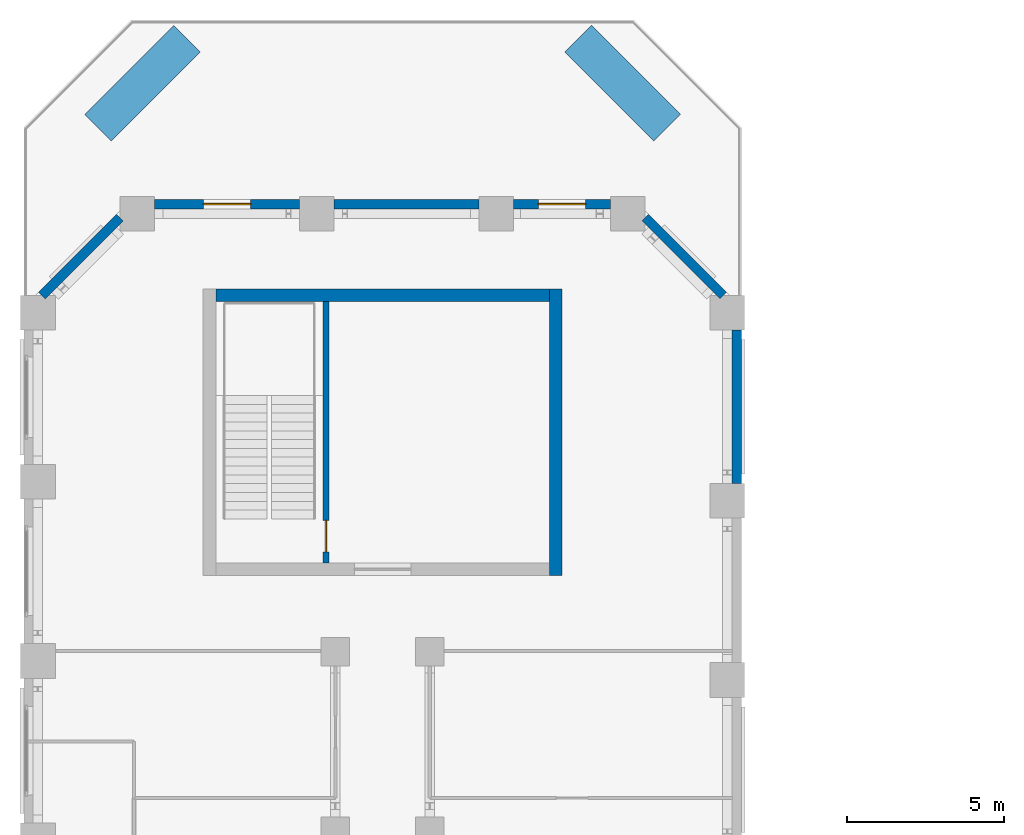
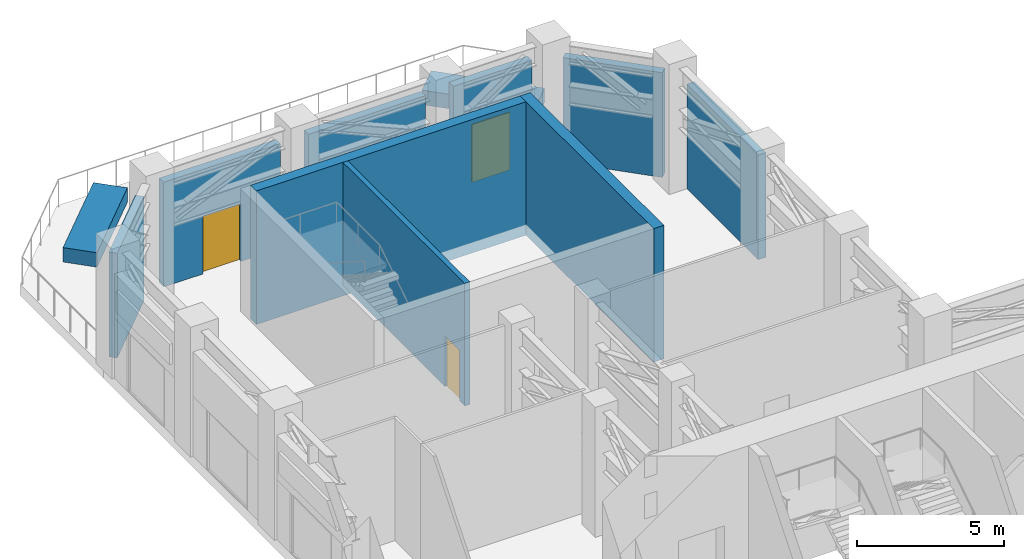
# One storey, part 17 of 21: 11 walls, 3 doors, 3 openings.
"""IFC4 building model written with IfcOpenShell, lengths in metres."""

from ifc_helpers import new_model, si_unit, direction, frame, frame_2d, origin, place, context, subcontext, project, spatial, rectangle, extrude, material, layer, layer_set, type_object, element, fill, save


model = new_model("IFC4")

# Units and contexts
model_context = context("Model", 3, precision=1e-05, world=origin(), true_north=direction((0.0, 1.0)))
body_context = subcontext(model_context, "Body", "Model", "MODEL_VIEW")
ifc_project = project(units=[si_unit("LENGTHUNIT", "METRE"), si_unit("AREAUNIT", "SQUARE_METRE"), si_unit("VOLUMEUNIT", "CUBIC_METRE"), si_unit("PLANEANGLEUNIT", "RADIAN"), si_unit("MASSUNIT", "GRAM", prefix="KILO")], contexts=[model_context])

# Site, building, storey
site_placement = place(None, origin())
site = spatial("IfcSite", under=ifc_project, at=site_placement, CompositionType="ELEMENT")
building_placement = place(site_placement, origin())
building = spatial("IfcBuilding", under=site, at=building_placement, Name="Meshkara Civic Tower", CompositionType="ELEMENT")
storey_placement = place(building_placement, frame((0.0, 0.0, 284.39990234375)))
storey = spatial("IfcBuildingStorey", under=building, at=storey_placement, Name="L65", CompositionType="ELEMENT", Elevation=284.39990234375)

# Walls
ifc_material_1 = material(Name="Insulated infill panel with bronze anodised aluminium cladding", Category="aluminium")
ifc_layer_1 = layer(ifc_material_1, 0.300048828125)
ifc_layer_set_1 = layer_set([ifc_layer_1], Name="EXTERNAL INFILL WALL 300")
wall_type_1 = type_object("IfcWallType", Name="EXTERNAL INFILL WALL 300", PredefinedType="SOLIDWALL", material=ifc_layer_set_1)
wall_1_placement = place(storey_placement, frame((22.64990234375, 51.40087890625, 0.0), z_axis=(0.0, 0.0, 1.0), x_axis=(0.0, 1.0, 0.0)))
element("IfcWall", 1, at=wall_1_placement, inside=storey, type_object=wall_type_1, Name="External wall", PredefinedType="SOLIDWALL", context=body_context, shape_type="SweptSolid", body=[
    extrude(rectangle(XDim=4.863037109375, YDim=0.300048828125, at=frame_2d((2.431640625, 0.0))), origin(), (0.0, 0.0, 1.0), 4.35009765625),
])
wall_2_placement = place(storey_placement, frame((22.22412109375, 57.364013671875, 0.0), z_axis=(0.0, 0.0, 1.0), x_axis=(-0.70714158403, 0.70707197663, 0.0)))
element("IfcWall", 2, at=wall_2_placement, inside=storey, type_object=wall_type_1, Name="External wall", PredefinedType="SOLIDWALL", context=body_context, shape_type="SweptSolid", body=[
    extrude(rectangle(XDim=3.50732421875, YDim=0.300048828125, at=frame_2d((1.753662109375, 0.0))), origin(), (0.0, 0.0, 1.0), 4.35009765625),
])

# Wall, opening, door
wall_3_placement = place(storey_placement, frame((18.64306640625, 60.27001953125, 0.0), z_axis=(0.0, 0.0, 1.0), x_axis=(-1.0, 0.0, 0.0)))
wall_3 = element("IfcWall", 3, at=wall_3_placement, inside=storey, type_object=wall_type_1, Name="External wall", PredefinedType="SOLIDWALL", context=body_context, shape_type="SweptSolid", body=[
    extrude(rectangle(XDim=3.087158203125, YDim=0.300048828125, at=frame_2d((1.54345703125, 0.0))), origin(), (0.0, 0.0, 1.0), 4.35009765625),
])
opening_1_placement = place(wall_3_placement, frame((0.79296875, 0.0, 0.0)))
opening_1 = element("IfcOpeningElement", 4, at=opening_1_placement, cuts=wall_3, Name="Opening L65-L001", PredefinedType="OPENING", context=body_context, shape_type="SweptSolid", body=[
    extrude(rectangle(XDim=1.5, YDim=2.39990234375, at=frame_2d((0.75, 1.199951171875))), frame((0.0, 0.159912109375, 0.0), z_axis=(0.0, -1.0, 0.0), x_axis=(1.0, 0.0, 0.0)), (0.0, 0.0, 1.0), 0.320068359375),
])
ifc_material_2 = material(Name="Bronze anodised aluminium", Category="aluminium")
door_type_1 = type_object("IfcDoorType", Name="TERRACE DOOR 1500x2400", OperationType="DOUBLE_DOOR_SINGLE_SWING", PredefinedType="DOOR", material=ifc_material_2)
door_1_placement = place(opening_1_placement, origin())
door_1 = element("IfcDoor", 5, at=door_1_placement, inside=storey, type_object=door_type_1, Name="L65-L001", OperationType="DOUBLE_DOOR_SINGLE_SWING", OverallHeight=2.39990234375, OverallWidth=1.5, PredefinedType="DOOR", context=body_context, shape_type="SweptSolid", body=[
    extrude(rectangle(XDim=1.5, YDim=2.39990234375, at=frame_2d((0.75, 1.199951171875))), frame((0.0, 0.02490234375, 0.0), z_axis=(0.0, -1.0, 0.0), x_axis=(1.0, 0.0, 0.0)), (0.0, 0.0, 1.0), 0.050048828125),
])
fill(opening_1, door_1)

# Wall
wall_4_placement = place(storey_placement, frame((14.4560546875, 60.27001953125, 0.0), z_axis=(0.0, 0.0, 1.0), x_axis=(-1.0, 0.0, 0.0)))
element("IfcWall", 6, at=wall_4_placement, inside=storey, type_object=wall_type_1, Name="External wall", PredefinedType="SOLIDWALL", context=body_context, shape_type="SweptSolid", body=[
    extrude(rectangle(XDim=4.59912109375, YDim=0.300048828125, at=frame_2d((2.299560546875, 0.0))), origin(), (0.0, 0.0, 1.0), 4.35009765625),
])

# Wall, opening, door
wall_5_placement = place(storey_placement, frame((8.7548828125, 60.27001953125, 0.0), z_axis=(0.0, 0.0, 1.0), x_axis=(-1.0, 0.0, 0.0)))
wall_5 = element("IfcWall", 7, at=wall_5_placement, inside=storey, type_object=wall_type_1, Name="External wall", PredefinedType="SOLIDWALL", context=body_context, shape_type="SweptSolid", body=[
    extrude(rectangle(XDim=4.598876953125, YDim=0.300048828125, at=frame_2d((2.29931640625, 0.0))), origin(), (0.0, 0.0, 1.0), 4.35009765625),
])
opening_2_placement = place(wall_5_placement, frame((1.549072265625, 0.0, 0.0)))
opening_2 = element("IfcOpeningElement", 8, at=opening_2_placement, cuts=wall_5, Name="Opening L65-L002", PredefinedType="OPENING", context=body_context, shape_type="SweptSolid", body=[
    extrude(rectangle(XDim=1.5, YDim=2.39990234375, at=frame_2d((0.75, 1.199951171875))), frame((0.0, 0.159912109375, 0.0), z_axis=(0.0, -1.0, 0.0), x_axis=(1.0, 0.0, 0.0)), (0.0, 0.0, 1.0), 0.320068359375),
])
door_2_placement = place(opening_2_placement, origin())
door_2 = element("IfcDoor", 9, at=door_2_placement, inside=storey, type_object=door_type_1, Name="L65-L002", OperationType="DOUBLE_DOOR_SINGLE_SWING", OverallHeight=2.39990234375, OverallWidth=1.5, PredefinedType="DOOR", context=body_context, shape_type="SweptSolid", body=[
    extrude(rectangle(XDim=1.5, YDim=2.39990234375, at=frame_2d((0.75, 1.199951171875))), frame((0.0, 0.02490234375, 0.0), z_axis=(0.0, -1.0, 0.0), x_axis=(1.0, 0.0, 0.0)), (0.0, 0.0, 1.0), 0.050048828125),
])
fill(opening_2, door_2)

# Walls
wall_6_placement = place(storey_placement, frame((3.055908203125, 59.843994140625, 0.0), z_axis=(0.0, 0.0, 1.0), x_axis=(-0.707106781187, -0.707106781187, 0.0)))
element("IfcWall", 10, at=wall_6_placement, inside=storey, type_object=wall_type_1, Name="External wall", PredefinedType="SOLIDWALL", context=body_context, shape_type="SweptSolid", body=[
    extrude(rectangle(XDim=3.50732421875, YDim=0.300048828125, at=frame_2d((1.753662109375, 0.0))), origin(), (0.0, 0.0, 1.0), 4.35009765625),
])
ifc_material_3 = material(Name="Concrete C60", Category="concrete")
ifc_layer_2 = layer(ifc_material_3, 0.39990234375)
ifc_layer_set_2 = layer_set([ifc_layer_2], Name="End core ring wall 400 C60")
wall_type_2 = type_object("IfcWallType", Name="End core ring wall 400 C60", PredefinedType="SHEAR", material=ifc_layer_set_2)
wall_7_placement = place(storey_placement, frame((16.89990234375, 48.469970703125, -0.449951171875), z_axis=(0.0, 0.0, 1.0), x_axis=(0.0, 1.0, 0.0)))
element("IfcWall", 11, at=wall_7_placement, inside=storey, type_object=wall_type_2, Name="L65-C028", PredefinedType="SHEAR", context=body_context, shape_type="SweptSolid", body=[
    extrude(rectangle(XDim=9.10009765625, YDim=0.39990234375, at=frame_2d((4.550048828125, 0.0))), origin(), (0.0, 0.0, 1.0), 5.550048828125),
])
wall_8_placement = place(storey_placement, frame((6.10009765625, 57.3701171875, -0.449951171875), z_axis=(0.0, 0.0, 1.0), x_axis=(1.0, 0.0, 0.0)))
element("IfcWall", 12, at=wall_8_placement, inside=storey, type_object=wall_type_2, Name="L65-C030", PredefinedType="SHEAR", context=body_context, shape_type="SweptSolid", body=[
    extrude(rectangle(XDim=10.599853515625, YDim=0.39990234375, at=frame_2d((5.2998046875, 0.0))), origin(), (0.0, 0.0, 1.0), 5.550048828125),
])
ifc_material_4 = material(Name="Concrete C40", Category="concrete")
ifc_layer_3 = layer(ifc_material_4, 1.199951171875)
ifc_layer_set_3 = layer_set([ifc_layer_3], Name="PLANTING BED")
wall_type_3 = type_object("IfcWallType", Name="PLANTING BED", PredefinedType="SOLIDWALL", material=ifc_layer_set_3)
wall_9_placement = place(storey_placement, frame((2.35791015625, 62.696044921875, 0.0), z_axis=(0.0, 0.0, 1.0), x_axis=(0.707137302683, 0.707076258372, 0.0)))
element("IfcWall", 13, at=wall_9_placement, inside=storey, type_object=wall_type_3, Name="Planting bed", PredefinedType="SOLIDWALL", context=body_context, shape_type="SweptSolid", body=[
    extrude(rectangle(XDim=3.99951171875, YDim=1.199951171875, at=frame_2d((1.999755859375, 0.0))), origin(), (0.0, 0.0, 1.0), 0.60009765625),
])
wall_10_placement = place(storey_placement, frame((17.614013671875, 65.52392578125, 0.0), z_axis=(0.0, 0.0, 1.0), x_axis=(0.707106781187, -0.707106781187, 0.0)))
element("IfcWall", 14, at=wall_10_placement, inside=storey, type_object=wall_type_3, Name="Planting bed", PredefinedType="SOLIDWALL", context=body_context, shape_type="SweptSolid", body=[
    extrude(rectangle(XDim=3.999267578125, YDim=1.199951171875, at=frame_2d((1.99951171875, 0.0))), origin(), (0.0, 0.0, 1.0), 0.60009765625),
])

# Wall, opening, door
ifc_material_5 = material(Name="Concrete C40/50", Category="concrete")
ifc_layer_4 = layer(ifc_material_5, 0.199951171875)
ifc_layer_set_4 = layer_set([ifc_layer_4], Name="Stair enclosure wall 200 C40/50")
wall_type_4 = type_object("IfcWallType", Name="Stair enclosure wall 200 C40/50", PredefinedType="SOLIDWALL", material=ifc_layer_set_4)
wall_11_placement = place(storey_placement, frame((9.60009765625, 48.8701171875, 0.0), z_axis=(0.0, 0.0, 1.0), x_axis=(0.0, 1.0, 0.0)))
wall_11 = element("IfcWall", 15, at=wall_11_placement, inside=storey, type_object=wall_type_4, Name="L65-C031", PredefinedType="SOLIDWALL", context=body_context, shape_type="SweptSolid", body=[
    extrude(rectangle(XDim=8.2998046875, YDim=0.199951171875, at=frame_2d((4.14990234375, 0.0))), origin(), (0.0, 0.0, 1.0), 5.10009765625),
])
opening_3_placement = place(wall_11_placement, frame((0.35009765625, 0.0, 0.0)))
opening_3 = element("IfcOpeningElement", 16, at=opening_3_placement, cuts=wall_11, Name="Opening L65-K101", PredefinedType="OPENING", context=body_context, shape_type="SweptSolid", body=[
    extrude(rectangle(XDim=1.0, YDim=2.10009765625, at=frame_2d((0.5, 1.050048828125))), frame((0.0, 0.10986328125, 0.0), z_axis=(0.0, -1.0, 0.0), x_axis=(1.0, 0.0, 0.0)), (0.0, 0.0, 1.0), 0.219970703125),
])
ifc_material_6 = material(Name="Fire-rated door leaf in steel frame", Category="steel")
door_type_2 = type_object("IfcDoorType", Name="Stair door 1000 EI 120", OperationType="SINGLE_SWING_LEFT", PredefinedType="DOOR", material=ifc_material_6)
door_3_placement = place(opening_3_placement, origin())
door_3 = element("IfcDoor", 17, at=door_3_placement, inside=storey, type_object=door_type_2, Name="L65-K101", OperationType="SINGLE_SWING_RIGHT", OverallHeight=2.10009765625, OverallWidth=1.0, PredefinedType="DOOR", context=body_context, shape_type="SweptSolid", body=[
    extrude(rectangle(XDim=1.0, YDim=2.10009765625, at=frame_2d((0.5, 1.050048828125))), frame((0.0, 0.02490234375, 0.0), z_axis=(0.0, -1.0, 0.0), x_axis=(1.0, 0.0, 0.0)), (0.0, 0.0, 1.0), 0.050048828125),
])
fill(opening_3, door_3)

save(model, "model.ifc")
